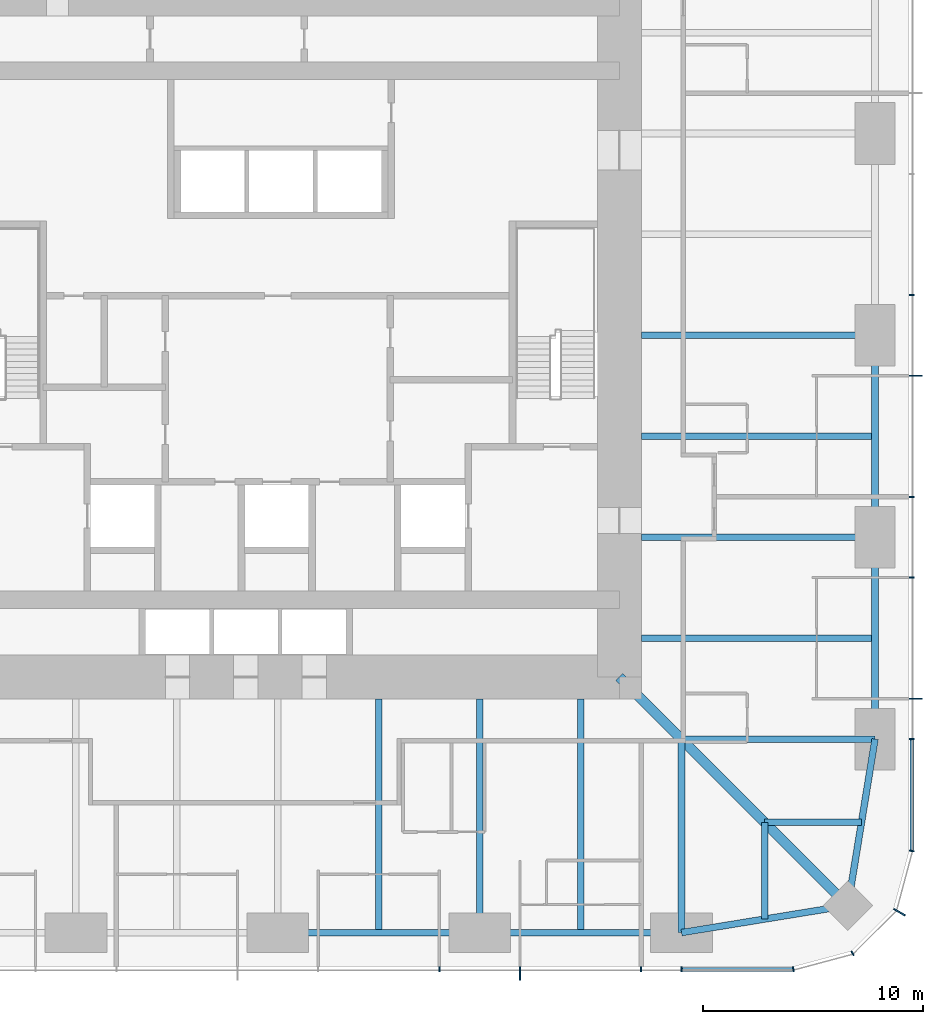
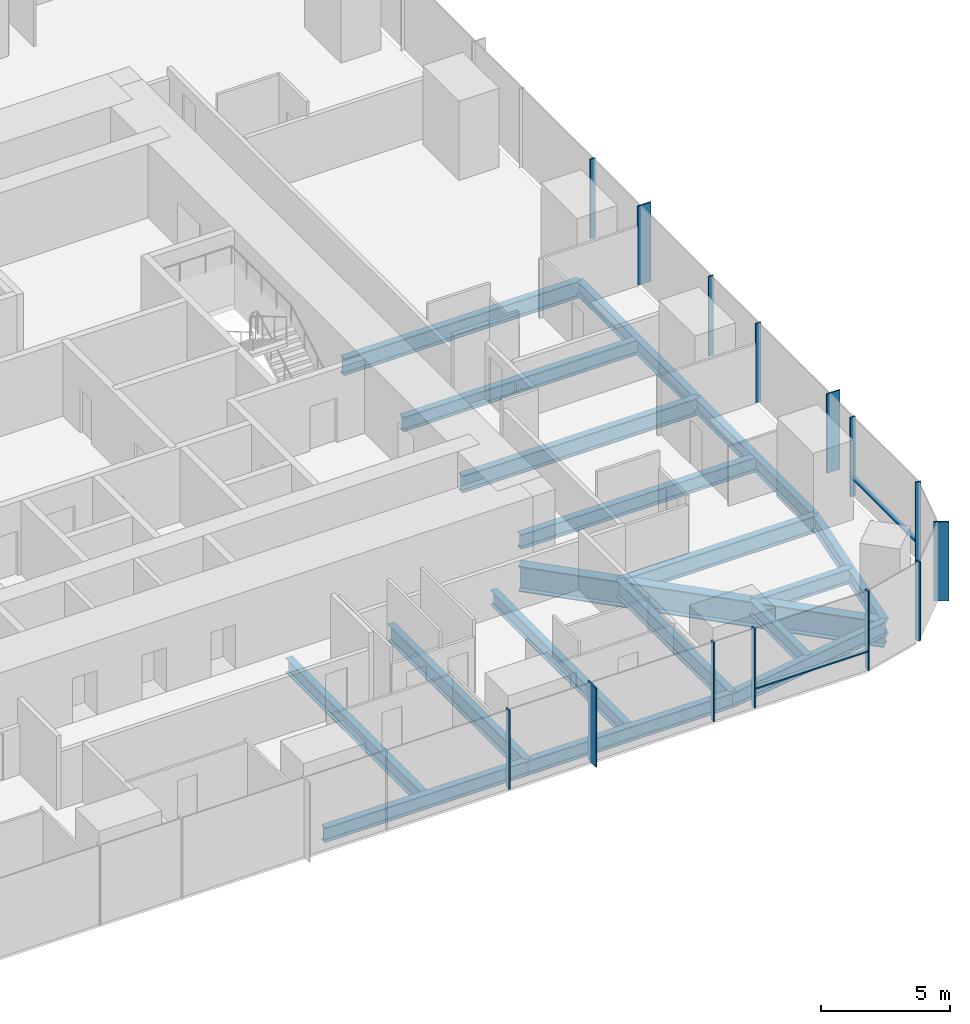
# One storey, part 4 of 13: 18 beams, 16 members, 3 elements without a shape of their own.
"""IFC4 building model written with IfcOpenShell, lengths in metres."""

from ifc_helpers import new_model, si_unit, direction, frame, origin, origin_2d, place, context, subcontext, project, spatial, rectangle, i_section, extrude, material, material_profile, profile_set, type_object, element, aggregate, save


model = new_model("IFC4")

# Units and contexts
model_context = context("Model", 3, precision=1e-05, world=origin(), true_north=direction((0.0, 1.0)))
body_context = subcontext(model_context, "Body", "Model", "MODEL_VIEW")
ifc_project = project(units=[si_unit("LENGTHUNIT", "METRE"), si_unit("AREAUNIT", "SQUARE_METRE"), si_unit("VOLUMEUNIT", "CUBIC_METRE"), si_unit("PLANEANGLEUNIT", "RADIAN"), si_unit("MASSUNIT", "GRAM", prefix="KILO")], contexts=[model_context])

# Site, building, storey
site_placement = place(None, origin())
site = spatial("IfcSite", under=ifc_project, at=site_placement, CompositionType="ELEMENT")
building_placement = place(site_placement, origin())
building = spatial("IfcBuilding", under=site, at=building_placement, Name="Khuree Lantern Residences", CompositionType="ELEMENT")
storey_placement = place(building_placement, frame((0.0, 0.0, 148.5)))
storey = spatial("IfcBuildingStorey", under=building, at=storey_placement, Name="L37", CompositionType="ELEMENT", Elevation=148.5)

# Beams
ifc_material_1 = material(Name="Steel S355", Category="steel")
ifc_material_profile_1 = material_profile(ifc_material_1, i_section(OverallWidth=0.300048828125, OverallDepth=0.68994140625, WebThickness=0.014404296875, FlangeThickness=0.027099609375, FilletRadius=0.027099609375, at=origin_2d()), Name="HE 700 A")
ifc_profile_set_1 = profile_set([ifc_material_profile_1], Name="Steel S355")
beam_type_1 = type_object("IfcBeamType", Name="B-23 SECONDARY BEAM HE 700 A", PredefinedType="BEAM", material=ifc_profile_set_1)
for number, where, z_axis, x_axis, name in (
    (1, (27.10009765625, -4.580078125, -0.594970703125), (-1.0, 0.0, 0.0), (0.0, -1.0, 0.0), "Secondary beam E4"),
    (2, (27.10009765625, -13.739990234375, -0.594970703125), (-1.0, 0.0, 0.0), (0.0, -1.0, 0.0), "Secondary beam E5"),
):
    element("IfcBeam", number, at=place(storey_placement, frame(where, z_axis=z_axis, x_axis=x_axis)), inside=storey, type_object=beam_type_1, Name=name, PredefinedType="BEAM", context=body_context, shape_type="SweptSolid", body=[
        extrude(i_section(OverallWidth=0.300048828125, OverallDepth=0.68994140625, WebThickness=0.014404296875, FlangeThickness=0.027099609375, FilletRadius=0.027099609375, at=origin_2d()), origin(), (0.0, 0.0, 1.0), 10.60009765625),
    ])
for number, where, z_axis, x_axis, name in (
    (3, (26.48486328125, -22.094970703125, -0.594970703125), (-1.0, 0.0, 0.0), (0.0, -1.0, 0.0), "Secondary beam E6"),
    (4, (22.094970703125, -26.48486328125, -0.594970703125), (0.0, 1.0, 0.0), (-1.0, 0.0, 0.0), "Secondary beam S1"),
):
    element("IfcBeam", number, at=place(storey_placement, frame(where, z_axis=z_axis, x_axis=x_axis)), inside=storey, type_object=beam_type_1, Name=name, PredefinedType="BEAM", context=body_context, shape_type="SweptSolid", body=[
        extrude(i_section(OverallWidth=0.300048828125, OverallDepth=0.68994140625, WebThickness=0.014404296875, FlangeThickness=0.027099609375, FilletRadius=0.027099609375, at=origin_2d()), origin(), (0.0, 0.0, 1.0), 4.389892578125),
    ])
for number, where, z_axis, x_axis, name in (
    (5, (13.739990234375, -27.10009765625, -0.594970703125), (0.0, 1.0, 0.0), (-1.0, 0.0, 0.0), "Secondary beam S2"),
    (6, (4.580078125, -27.10009765625, -0.594970703125), (0.0, 1.0, 0.0), (-1.0, 0.0, 0.0), "Secondary beam S3"),
):
    element("IfcBeam", number, at=place(storey_placement, frame(where, z_axis=z_axis, x_axis=x_axis)), inside=storey, type_object=beam_type_1, Name=name, PredefinedType="BEAM", context=body_context, shape_type="SweptSolid", body=[
        extrude(i_section(OverallWidth=0.300048828125, OverallDepth=0.68994140625, WebThickness=0.014404296875, FlangeThickness=0.027099609375, FilletRadius=0.027099609375, at=origin_2d()), origin(), (0.0, 0.0, 1.0), 10.60009765625),
    ])
ifc_material_profile_2 = material_profile(ifc_material_1, i_section(OverallWidth=0.300048828125, OverallDepth=0.68994140625, WebThickness=0.014404296875, FlangeThickness=0.027099609375, FilletRadius=0.027099609375, at=origin_2d()), Name="HE 700 A")
ifc_profile_set_2 = profile_set([ifc_material_profile_2], Name="Steel S355")
beam_type_2 = type_object("IfcBeamType", Name="E-23 SPANDREL BEAM HE 700 A", PredefinedType="SPANDREL", material=ifc_profile_set_2)
beam_1_placement = place(storey_placement, frame((27.10009765625, 0.0, -0.594970703125), z_axis=(0.0, -1.0, 0.0), x_axis=(1.0, 0.0, 0.0)))
element("IfcBeam", 7, at=beam_1_placement, inside=storey, type_object=beam_type_2, Name="Spandrel beam E4", PredefinedType="SPANDREL", context=body_context, shape_type="SweptSolid", body=[
    extrude(i_section(OverallWidth=0.300048828125, OverallDepth=0.68994140625, WebThickness=0.014404296875, FlangeThickness=0.027099609375, FilletRadius=0.027099609375, at=origin_2d()), origin(), (0.0, 0.0, 1.0), 9.159912109375),
])
beam_2_placement = place(storey_placement, frame((27.10009765625, -9.159912109375, -0.594970703125), z_axis=(0.0, -1.0, 0.0), x_axis=(1.0, 0.0, 0.0)))
element("IfcBeam", 8, at=beam_2_placement, inside=storey, type_object=beam_type_2, Name="Spandrel beam E5", PredefinedType="SPANDREL", context=body_context, shape_type="SweptSolid", body=[
    extrude(i_section(OverallWidth=0.300048828125, OverallDepth=0.68994140625, WebThickness=0.014404296875, FlangeThickness=0.027099609375, FilletRadius=0.027099609375, at=origin_2d()), origin(), (0.0, 0.0, 1.0), 9.16015625),
])
for number, where, z_axis, x_axis, name in (
    (9, (27.10009765625, -18.320068359375, -0.594970703125), (-0.160826723833, -0.986982656839, 0.0), (0.986982656839, -0.160826723833, 0.0), "Spandrel beam E6"),
    (10, (25.869873046875, -25.869873046875, -0.594970703125), (-0.986982656839, -0.160826723833, 0.0), (0.160826723833, -0.986982656839, 0.0), "Spandrel beam S1"),
):
    element("IfcBeam", number, at=place(storey_placement, frame(where, z_axis=z_axis, x_axis=x_axis)), inside=storey, type_object=beam_type_2, Name=name, PredefinedType="SPANDREL", context=body_context, shape_type="SweptSolid", body=[
        extrude(i_section(OverallWidth=0.300048828125, OverallDepth=0.68994140625, WebThickness=0.014404296875, FlangeThickness=0.027099609375, FilletRadius=0.027099609375, at=origin_2d()), origin(), (0.0, 0.0, 1.0), 7.6494140625),
    ])
beam_3_placement = place(storey_placement, frame((18.320068359375, -27.10009765625, -0.594970703125), z_axis=(-1.0, 0.0, 0.0), x_axis=(0.0, -1.0, 0.0)))
element("IfcBeam", 11, at=beam_3_placement, inside=storey, type_object=beam_type_2, Name="Spandrel beam S2", PredefinedType="SPANDREL", context=body_context, shape_type="SweptSolid", body=[
    extrude(i_section(OverallWidth=0.300048828125, OverallDepth=0.68994140625, WebThickness=0.014404296875, FlangeThickness=0.027099609375, FilletRadius=0.027099609375, at=origin_2d()), origin(), (0.0, 0.0, 1.0), 9.16015625),
])
beam_4_placement = place(storey_placement, frame((9.159912109375, -27.10009765625, -0.594970703125), z_axis=(-1.0, 0.0, 0.0), x_axis=(0.0, -1.0, 0.0)))
element("IfcBeam", 12, at=beam_4_placement, inside=storey, type_object=beam_type_2, Name="Spandrel beam S3", PredefinedType="SPANDREL", context=body_context, shape_type="SweptSolid", body=[
    extrude(i_section(OverallWidth=0.300048828125, OverallDepth=0.68994140625, WebThickness=0.014404296875, FlangeThickness=0.027099609375, FilletRadius=0.027099609375, at=origin_2d()), origin(), (0.0, 0.0, 1.0), 9.159912109375),
])

# Curtain wall, member
ifc_material_2 = material(Name="Bronze anodised aluminium", Category="aluminium")
curtain_wall_type_1 = type_object("IfcCurtainWallType", Name="CW-T2 TOWER CORNER CURTAIN WALL", PredefinedType="USERDEFINED", material=ifc_material_2)
curtain_wall_1_placement = place(storey_placement, origin())
curtain_wall_1 = element("IfcCurtainWall", 13, at=curtain_wall_1_placement, inside=storey, type_object=curtain_wall_type_1, Name="L37 SOUTH-EAST CORNER CURTAIN WALL", ObjectType="Faceted corner curtain wall", PredefinedType="USERDEFINED")
ifc_material_profile_3 = material_profile(ifc_material_2, rectangle(XDim=0.06494140625, YDim=0.60009765625, at=origin_2d()), Name="F1 65X600")
ifc_profile_set_3 = profile_set([ifc_material_profile_3], Name="Bronze anodised aluminium")
member_type_1 = type_object("IfcMemberType", Name="F1 BRONZE FIN MULLION TOWER 65X600", PredefinedType="MULLION", material=ifc_profile_set_3)
member_1_placement = place(storey_placement, frame((28.20654296875, -26.175048828125, 0.0), z_axis=(0.0, 0.0, 1.0), x_axis=(0.500000026995, 0.866025388199, 0.0)))
member_1 = element("IfcMember", 14, at=member_1_placement, type_object=member_type_1, Name="L37 SOUTH-EAST CORNER FIN MULLION 3", PredefinedType="MULLION", context=body_context, shape_type="SweptSolid", body=[
    extrude(rectangle(XDim=0.06494140625, YDim=0.60009765625, at=origin_2d()), origin(), (0.0, 0.0, 1.0), 3.75),
])

# Curtain wall, members
curtain_wall_type_2 = type_object("IfcCurtainWallType", Name="CW-T1 TOWER FACE CURTAIN WALL", PredefinedType="USERDEFINED", material=ifc_material_2)
curtain_wall_2_placement = place(storey_placement, origin())
curtain_wall_2 = element("IfcCurtainWall", 15, at=curtain_wall_2_placement, inside=storey, type_object=curtain_wall_type_2, Name="L37 EAST FACE CURTAIN WALL", ObjectType="Stick-built curtain wall", PredefinedType="USERDEFINED")
member_2_placement = place(storey_placement, frame((28.949951171875, -16.488037109375, 0.0), z_axis=(0.0, 0.0, 1.0), x_axis=(0.0, 1.0, 0.0)))
member_2 = element("IfcMember", 16, at=member_2_placement, type_object=member_type_1, Name="L37 EAST FACE FIN MULLION 6", PredefinedType="MULLION", context=body_context, shape_type="SweptSolid", body=[
    extrude(rectangle(XDim=0.06494140625, YDim=0.60009765625, at=origin_2d()), origin(), (0.0, 0.0, 1.0), 3.75),
])
member_3_placement = place(storey_placement, frame((28.949951171875, -1.83203125, 0.0), z_axis=(0.0, 0.0, 1.0), x_axis=(0.0, 1.0, 0.0)))
member_3 = element("IfcMember", 17, at=member_3_placement, type_object=member_type_1, Name="L37 EAST FACE FIN MULLION 9", PredefinedType="MULLION", context=body_context, shape_type="SweptSolid", body=[
    extrude(rectangle(XDim=0.06494140625, YDim=0.60009765625, at=origin_2d()), origin(), (0.0, 0.0, 1.0), 3.75),
])

# Curtain wall, member
curtain_wall_3_placement = place(storey_placement, origin())
curtain_wall_3 = element("IfcCurtainWall", 18, at=curtain_wall_3_placement, inside=storey, type_object=curtain_wall_type_2, Name="L37 SOUTH FACE CURTAIN WALL", ObjectType="Stick-built curtain wall", PredefinedType="USERDEFINED")
member_4_placement = place(storey_placement, frame((10.991943359375, -28.949951171875, 0.0), z_axis=(0.0, 0.0, 1.0), x_axis=(1.0, 0.0, 0.0)))
member_4 = element("IfcMember", 19, at=member_4_placement, type_object=member_type_1, Name="L37 SOUTH FACE FIN MULLION 54", PredefinedType="MULLION", context=body_context, shape_type="SweptSolid", body=[
    extrude(rectangle(XDim=0.06494140625, YDim=0.60009765625, at=origin_2d()), origin(), (0.0, 0.0, 1.0), 3.75),
])

# Beams
ifc_material_profile_4 = material_profile(ifc_material_1, i_section(OverallWidth=0.300048828125, OverallDepth=0.800048828125, WebThickness=0.017578125, FlangeThickness=0.032958984375, FilletRadius=0.030029296875, at=origin_2d()), Name="HE 800 B")
ifc_profile_set_4 = profile_set([ifc_material_profile_4], Name="Steel S355")
beam_type_3 = type_object("IfcBeamType", Name="G-23 GIRDER HE 800 B", PredefinedType="BEAM", material=ifc_profile_set_4)
for number, where, z_axis, x_axis, name in (
    (20, (27.10009765625, 0.0, -0.64990234375), (-1.0, 0.0, 0.0), (0.0, -1.0, 0.0), "Girder E3"),
    (21, (27.10009765625, -9.159912109375, -0.64990234375), (-1.0, 0.0, 0.0), (0.0, -1.0, 0.0), "Girder E4"),
):
    element("IfcBeam", number, at=place(storey_placement, frame(where, z_axis=z_axis, x_axis=x_axis)), inside=storey, type_object=beam_type_3, Name=name, PredefinedType="BEAM", context=body_context, shape_type="SweptSolid", body=[
        extrude(i_section(OverallWidth=0.300048828125, OverallDepth=0.800048828125, WebThickness=0.017578125, FlangeThickness=0.032958984375, FilletRadius=0.030029296875, at=origin_2d()), origin(), (0.0, 0.0, 1.0), 10.60009765625),
    ])
for number, where, z_axis, x_axis, name in (
    (22, (27.10009765625, -18.320068359375, -0.64990234375), (-1.0, 0.0, 0.0), (0.0, -1.0, 0.0), "Girder E5"),
    (23, (18.320068359375, -27.10009765625, -0.64990234375), (0.0, 1.0, 0.0), (-1.0, 0.0, 0.0), "Girder S1"),
):
    element("IfcBeam", number, at=place(storey_placement, frame(where, z_axis=z_axis, x_axis=x_axis)), inside=storey, type_object=beam_type_3, Name=name, PredefinedType="BEAM", context=body_context, shape_type="SweptSolid", body=[
        extrude(i_section(OverallWidth=0.300048828125, OverallDepth=0.800048828125, WebThickness=0.017578125, FlangeThickness=0.032958984375, FilletRadius=0.030029296875, at=origin_2d()), origin(), (0.0, 0.0, 1.0), 8.780029296875),
    ])
beam_5_placement = place(storey_placement, frame((9.159912109375, -27.10009765625, -0.64990234375), z_axis=(0.0, 1.0, 0.0), x_axis=(-1.0, 0.0, 0.0)))
element("IfcBeam", 24, at=beam_5_placement, inside=storey, type_object=beam_type_3, Name="Girder S2", PredefinedType="BEAM", context=body_context, shape_type="SweptSolid", body=[
    extrude(i_section(OverallWidth=0.300048828125, OverallDepth=0.800048828125, WebThickness=0.017578125, FlangeThickness=0.032958984375, FilletRadius=0.030029296875, at=origin_2d()), origin(), (0.0, 0.0, 1.0), 10.60009765625),
])
ifc_material_profile_5 = material_profile(ifc_material_1, i_section(OverallWidth=0.449951171875, OverallDepth=1.199951171875, WebThickness=0.02490234375, FlangeThickness=0.044921875, at=origin_2d()), Name="WELDED I 1200X450X25X45")
ifc_profile_set_5 = profile_set([ifc_material_profile_5], Name="Steel S355")
beam_type_4 = type_object("IfcBeamType", Name="GD-23 CORNER GIRDER WELDED I 1200X450X25X45", PredefinedType="BEAM", material=ifc_profile_set_5)
beam_6_placement = place(storey_placement, frame((25.869873046875, -25.869873046875, -0.85009765625), z_axis=(-0.707106781187, 0.707106781187, 0.0), x_axis=(-0.707106781187, -0.707106781187, 0.0)))
element("IfcBeam", 25, at=beam_6_placement, inside=storey, type_object=beam_type_4, Name="Corner girder SE", PredefinedType="BEAM", context=body_context, shape_type="SweptSolid", body=[
    extrude(i_section(OverallWidth=0.449951171875, OverallDepth=1.199951171875, WebThickness=0.02490234375, FlangeThickness=0.044921875, at=origin_2d()), origin(), (0.0, 0.0, 1.0), 14.665283203125),
])

# Member
ifc_material_profile_6 = material_profile(ifc_material_2, rectangle(XDim=0.06494140625, YDim=0.219970703125, at=origin_2d()), Name="M1 65X220")
ifc_profile_set_6 = profile_set([ifc_material_profile_6], Name="Bronze anodised aluminium")
member_type_2 = type_object("IfcMemberType", Name="M1 BRONZE MULLION TOWER 65X220", PredefinedType="MULLION", material=ifc_profile_set_6)
member_5_placement = place(storey_placement, frame((23.39501953125, -28.76171875, 0.0), z_axis=(0.0, 0.0, 1.0), x_axis=(0.991444857305, 0.130526223125, 0.0)))
member_5 = element("IfcMember", 26, at=member_5_placement, type_object=member_type_2, Name="L37 SOUTH-EAST CORNER MULLION 1", PredefinedType="MULLION", context=body_context, shape_type="SweptSolid", body=[
    extrude(rectangle(XDim=0.06494140625, YDim=0.219970703125, at=origin_2d()), origin(), (0.0, 0.0, 1.0), 3.75),
])

member_6_placement = place(storey_placement, frame((26.080078125, -28.0419921875, 0.0), z_axis=(0.0, 0.0, 1.0), x_axis=(0.866025388199, 0.500000026995, 0.0)))
member_6 = element("IfcMember", 27, at=member_6_placement, type_object=member_type_2, Name="L37 SOUTH-EAST CORNER MULLION 2", PredefinedType="MULLION", context=body_context, shape_type="SweptSolid", body=[
    extrude(rectangle(XDim=0.06494140625, YDim=0.219970703125, at=origin_2d()), origin(), (0.0, 0.0, 1.0), 3.75),
])

aggregate(curtain_wall_1, [member_5, member_6, member_1])

member_7_placement = place(storey_placement, frame((28.76171875, -23.39501953125, 0.0), z_axis=(0.0, 0.0, 1.0), x_axis=(0.130526223125, 0.991444857305, 0.0)))
member_7 = element("IfcMember", 28, at=member_7_placement, type_object=member_type_2, Name="L37 EAST FACE MULLION 4", PredefinedType="MULLION", context=body_context, shape_type="SweptSolid", body=[
    extrude(rectangle(XDim=0.06494140625, YDim=0.219970703125, at=origin_2d()), origin(), (0.0, 0.0, 1.0), 3.75),
])

member_8_placement = place(storey_placement, frame((28.760009765625, -18.320068359375, 0.0), z_axis=(0.0, 0.0, 1.0), x_axis=(0.0, 1.0, 0.0)))
member_8 = element("IfcMember", 29, at=member_8_placement, type_object=member_type_2, Name="L37 EAST FACE MULLION 5", PredefinedType="MULLION", context=body_context, shape_type="SweptSolid", body=[
    extrude(rectangle(XDim=0.06494140625, YDim=0.219970703125, at=origin_2d()), origin(), (0.0, 0.0, 1.0), 3.75),
])

member_9_placement = place(storey_placement, frame((28.760009765625, -10.991943359375, 0.0), z_axis=(0.0, 0.0, 1.0), x_axis=(0.0, 1.0, 0.0)))
member_9 = element("IfcMember", 30, at=member_9_placement, type_object=member_type_2, Name="L37 EAST FACE MULLION 7", PredefinedType="MULLION", context=body_context, shape_type="SweptSolid", body=[
    extrude(rectangle(XDim=0.06494140625, YDim=0.219970703125, at=origin_2d()), origin(), (0.0, 0.0, 1.0), 3.75),
])

member_10_placement = place(storey_placement, frame((28.760009765625, -7.327880859375, 0.0), z_axis=(0.0, 0.0, 1.0), x_axis=(0.0, 1.0, 0.0)))
member_10 = element("IfcMember", 31, at=member_10_placement, type_object=member_type_2, Name="L37 EAST FACE MULLION 8", PredefinedType="MULLION", context=body_context, shape_type="SweptSolid", body=[
    extrude(rectangle(XDim=0.06494140625, YDim=0.219970703125, at=origin_2d()), origin(), (0.0, 0.0, 1.0), 3.75),
])

member_11_placement = place(storey_placement, frame((28.760009765625, 1.83203125, 0.0), z_axis=(0.0, 0.0, 1.0), x_axis=(0.0, 1.0, 0.0)))
member_11 = element("IfcMember", 32, at=member_11_placement, type_object=member_type_2, Name="L37 EAST FACE MULLION 10", PredefinedType="MULLION", context=body_context, shape_type="SweptSolid", body=[
    extrude(rectangle(XDim=0.06494140625, YDim=0.219970703125, at=origin_2d()), origin(), (0.0, 0.0, 1.0), 3.75),
])

member_12_placement = place(storey_placement, frame((7.327880859375, -28.760009765625, 0.0), z_axis=(0.0, 0.0, 1.0), x_axis=(1.0, 0.0, 0.0)))
member_12 = element("IfcMember", 33, at=member_12_placement, type_object=member_type_2, Name="L37 SOUTH FACE MULLION 53", PredefinedType="MULLION", context=body_context, shape_type="SweptSolid", body=[
    extrude(rectangle(XDim=0.06494140625, YDim=0.219970703125, at=origin_2d()), origin(), (0.0, 0.0, 1.0), 3.75),
])

member_13_placement = place(storey_placement, frame((16.488037109375, -28.760009765625, 0.0), z_axis=(0.0, 0.0, 1.0), x_axis=(1.0, 0.0, 0.0)))
member_13 = element("IfcMember", 34, at=member_13_placement, type_object=member_type_2, Name="L37 SOUTH FACE MULLION 55", PredefinedType="MULLION", context=body_context, shape_type="SweptSolid", body=[
    extrude(rectangle(XDim=0.06494140625, YDim=0.219970703125, at=origin_2d()), origin(), (0.0, 0.0, 1.0), 3.75),
])

member_14_placement = place(storey_placement, frame((18.320068359375, -28.760009765625, 0.0), z_axis=(0.0, 0.0, 1.0), x_axis=(1.0, 0.0, 0.0)))
member_14 = element("IfcMember", 35, at=member_14_placement, type_object=member_type_2, Name="L37 SOUTH FACE MULLION 56", PredefinedType="MULLION", context=body_context, shape_type="SweptSolid", body=[
    extrude(rectangle(XDim=0.06494140625, YDim=0.219970703125, at=origin_2d()), origin(), (0.0, 0.0, 1.0), 3.75),
])

ifc_material_profile_7 = material_profile(ifc_material_2, rectangle(XDim=0.179931640625, YDim=0.06494140625, at=origin_2d()), Name="T1 180X65")
ifc_profile_set_7 = profile_set([ifc_material_profile_7], Name="Bronze anodised aluminium")
member_type_3 = type_object("IfcMemberType", Name="TRANSOM T1 TOWER 180X65", PredefinedType="USERDEFINED", material=ifc_profile_set_7)
member_15_placement = place(storey_placement, frame((28.77001953125, -23.351318359375, 0.89990234375), z_axis=(0.0, 1.0, 0.0), x_axis=(-1.0, 0.0, 0.0)))
member_15 = element("IfcMember", 36, at=member_15_placement, type_object=member_type_3, Name="L37 EAST FACE TRANSOM 4.1", ObjectType="Transom", PredefinedType="USERDEFINED", context=body_context, shape_type="SweptSolid", body=[
    extrude(rectangle(XDim=0.179931640625, YDim=0.06494140625, at=origin_2d()), origin(), (0.0, 0.0, 1.0), 4.998779296875),
])

aggregate(curtain_wall_2, [member_7, member_8, member_2, member_9, member_10, member_3, member_11, member_15])

member_16_placement = place(storey_placement, frame((18.3525390625, -28.77001953125, 0.89990234375), z_axis=(1.0, 0.0, 0.0), x_axis=(0.0, 1.0, 0.0)))
member_16 = element("IfcMember", 37, at=member_16_placement, type_object=member_type_3, Name="L37 SOUTH FACE TRANSOM 56.1", ObjectType="Transom", PredefinedType="USERDEFINED", context=body_context, shape_type="SweptSolid", body=[
    extrude(rectangle(XDim=0.179931640625, YDim=0.06494140625, at=origin_2d()), origin(), (0.0, 0.0, 1.0), 4.998779296875),
])

aggregate(curtain_wall_3, [member_12, member_4, member_13, member_14, member_16])

save(model, "model.ifc")
